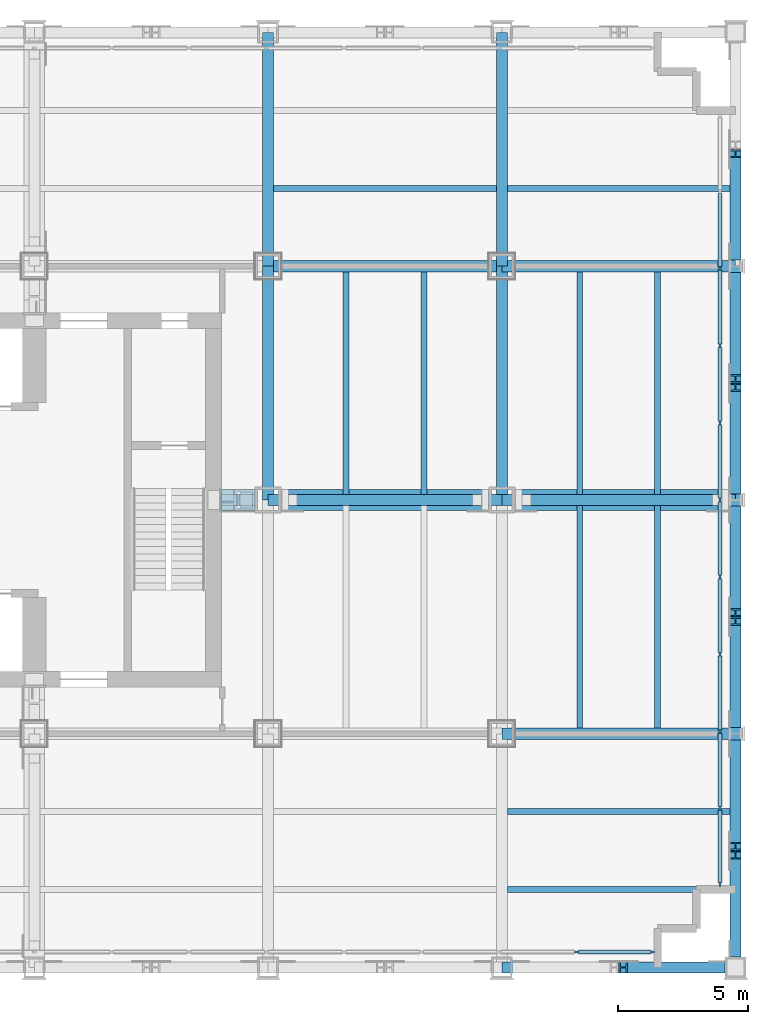
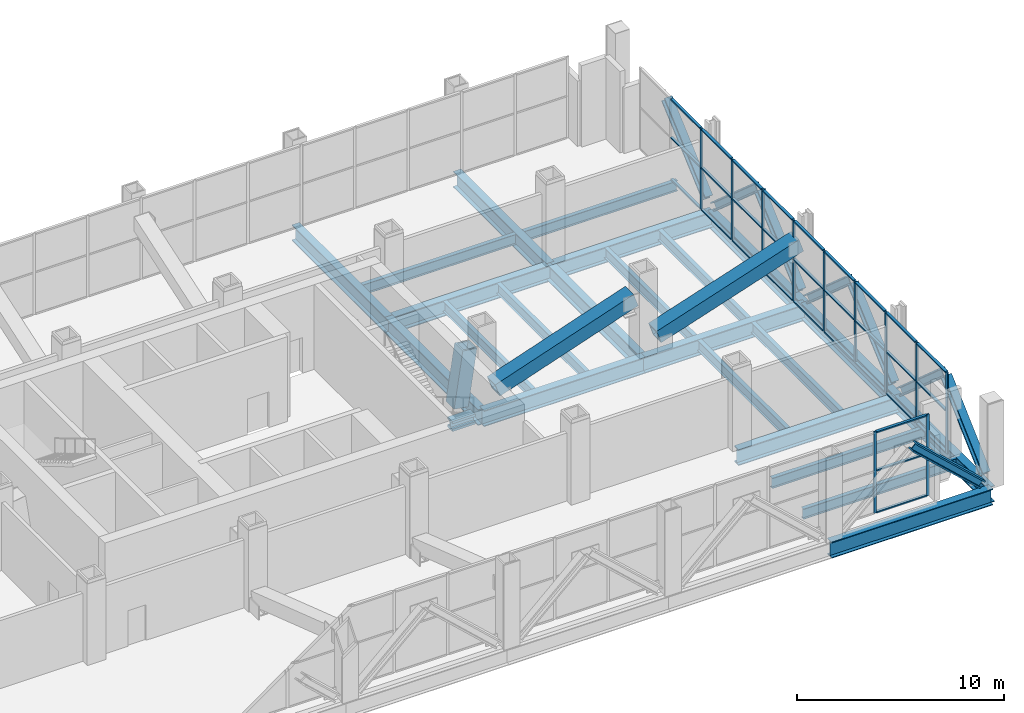
# One storey, part 6 of 19: 53 members, 23 beams, 2 elements without a shape of their own.
"""IFC4 building model written with IfcOpenShell, lengths in metres."""

from ifc_helpers import new_model, si_unit, direction, frame, origin, origin_2d, place, context, subcontext, project, spatial, rectangle, hollow_rectangle, i_section, extrude, material, material_profile, profile_set, type_object, element, aggregate, save


model = new_model("IFC4")

# Units and contexts
model_context = context("Model", 3, precision=1e-05, world=origin(), true_north=direction((0.0, 1.0)))
body_context = subcontext(model_context, "Body", "Model", "MODEL_VIEW")
ifc_project = project(units=[si_unit("LENGTHUNIT", "METRE"), si_unit("AREAUNIT", "SQUARE_METRE"), si_unit("VOLUMEUNIT", "CUBIC_METRE"), si_unit("PLANEANGLEUNIT", "RADIAN"), si_unit("MASSUNIT", "GRAM", prefix="KILO")], contexts=[model_context])

# Site, building, storey
site_placement = place(None, origin())
site = spatial("IfcSite", under=ifc_project, at=site_placement, CompositionType="ELEMENT")
building_placement = place(site_placement, origin())
building = spatial("IfcBuilding", under=site, at=building_placement, Name="Loomwork Tower", CompositionType="ELEMENT")
storey_placement = place(building_placement, frame((0.0, 0.0, 89.199951171875)))
storey = spatial("IfcBuildingStorey", under=building, at=storey_placement, Name="L23", CompositionType="ELEMENT", Elevation=89.199951171875)

# Beams
ifc_material_1 = material(Name="Steel ASTM A992", Category="steel")
ifc_material_profile_1 = material_profile(ifc_material_1, i_section(OverallWidth=0.424072265625, OverallDepth=0.947509765625, WebThickness=0.02392578125, FlangeThickness=0.042724609375, at=origin_2d()), Name="W36x302")
ifc_profile_set_1 = profile_set([ifc_material_profile_1], Name="Steel ASTM A992")
beam_type_1 = type_object("IfcBeamType", Name="BELT CHORD SPANDREL W36x302", PredefinedType="SPANDREL", material=ifc_profile_set_1)
for number, where, z_axis, x_axis, name in (
    (1, (45.0, 0.0, -0.7236328125), (1.0, 0.0, 0.0), (0.0, 1.0, 0.0), "Belt Chord Spandrel D/7-D/8 L23"),
    (2, (54.0, 0.0, -0.7236328125), (0.0, 1.0, 0.0), (-1.0, 0.0, 0.0), "Belt Chord Spandrel D/8-E/8 L23"),
    (3, (54.0, 9.0, -0.7236328125), (0.0, 1.0, 0.0), (-1.0, 0.0, 0.0), "Belt Chord Spandrel E/8-F/8 L23"),
    (4, (54.0, 18.0, -0.7236328125), (0.0, 1.0, 0.0), (-1.0, 0.0, 0.0), "Belt Chord Spandrel F/8-G/8 L23"),
):
    element("IfcBeam", number, at=place(storey_placement, frame(where, z_axis=z_axis, x_axis=x_axis)), inside=storey, type_object=beam_type_1, Name=name, PredefinedType="SPANDREL", context=body_context, shape_type="SweptSolid", body=[
        extrude(i_section(OverallWidth=0.424072265625, OverallDepth=0.947509765625, WebThickness=0.02392578125, FlangeThickness=0.042724609375, at=origin_2d()), origin(), (0.0, 0.0, 1.0), 9.0),
    ])

# Members
ifc_material_2 = material(Name="Steel ASTM A992", Category="steel")
ifc_material_profile_2 = material_profile(ifc_material_2, i_section(OverallWidth=0.424072265625, OverallDepth=0.47509765625, WebThickness=0.0478515625, FlangeThickness=0.0771484375, at=origin_2d()), Name="W14x426")
ifc_profile_set_2 = profile_set([ifc_material_profile_2], Name="Steel ASTM A992")
member_type_1 = type_object("IfcMemberType", Name="BELT TRUSS DIAGONAL W14x426", PredefinedType="BRACE", material=ifc_profile_set_2)
for number, where, z_axis, x_axis, name in (
    (5, (53.4287109375, 0.0, 0.184326171875), (-0.733437826244, 0.0, 0.679756541001), (0.0, -1.0, 0.0), "Belt truss diagonal D/7-D/8 L23"),
    (6, (54.0, 0.5712890625, 0.184326171875), (0.0, 0.733437826244, 0.679756541001), (-1.0, 0.0, 0.0), "Belt truss diagonal D/8-E/8 L23"),
):
    element("IfcMember", number, at=place(storey_placement, frame(where, z_axis=z_axis, x_axis=x_axis)), inside=storey, type_object=member_type_1, Name=name, PredefinedType="BRACE", context=body_context, shape_type="SweptSolid", body=[
        extrude(i_section(OverallWidth=0.424072265625, OverallDepth=0.47509765625, WebThickness=0.0478515625, FlangeThickness=0.0771484375, at=origin_2d()), origin(), (0.0, 0.0, 1.0), 5.12548828125),
    ])
for number, where, z_axis, x_axis, name in (
    (7, (54.0, 8.608154296875, 0.188232421875), (0.0, -0.750111573839, 0.661311293411), (1.0, 0.0, 0.0), "Belt truss diagonal D/8-E/8 L23"),
    (8, (54.0, 9.391845703125, 0.188232421875), (0.0, 0.750111573839, 0.661311293411), (-1.0, 0.0, 0.0), "Belt truss diagonal E/8-F/8 L23"),
    (9, (54.0, 17.608154296875, 0.188232421875), (0.0, -0.750111573839, 0.661311293411), (1.0, 0.0, 0.0), "Belt truss diagonal E/8-F/8 L23"),
    (10, (54.0, 18.391845703125, 0.188232421875), (0.0, 0.750111573839, 0.661311293411), (-1.0, 0.0, 0.0), "Belt truss diagonal F/8-G/8 L23"),
    (11, (54.0, 26.608154296875, 0.188232421875), (0.0, -0.750111573839, 0.661311293411), (1.0, 0.0, 0.0), "Belt truss diagonal F/8-G/8 L23"),
    (12, (54.0, 27.391845703125, 0.188232421875), (0.0, 0.750111573839, 0.661311293411), (-1.0, 0.0, 0.0), "Belt truss diagonal G/8-H/8 L23"),
):
    element("IfcMember", number, at=place(storey_placement, frame(where, z_axis=z_axis, x_axis=x_axis)), inside=storey, type_object=member_type_1, Name=name, PredefinedType="BRACE", context=body_context, shape_type="SweptSolid", body=[
        extrude(i_section(OverallWidth=0.424072265625, OverallDepth=0.47509765625, WebThickness=0.0478515625, FlangeThickness=0.0771484375, at=origin_2d()), origin(), (0.0, 0.0, 1.0), 5.256591796875),
    ])
ifc_material_3 = material(Name="Steel ASTM A572 Grade 50 plate", Category="steel")
ifc_material_profile_3 = material_profile(ifc_material_3, hollow_rectangle(XDim=0.800048828125, YDim=0.800048828125, WallThickness=0.090087890625, at=origin_2d()), Name="BOX800x90")
ifc_profile_set_3 = profile_set([ifc_material_profile_3], Name="Steel ASTM A572 Grade 50 plate")
member_type_2 = type_object("IfcMemberType", Name="OUTRIGGER DIAGONAL BOX800x90", PredefinedType="BRACE", material=ifc_profile_set_3)
member_1_placement = place(storey_placement, frame((53.588134765625, 18.0, 3.4609375), z_axis=(-0.949441504033, 0.0, -0.31394399249), x_axis=(0.0, -1.0, 0.0)))
element("IfcMember", 13, at=member_1_placement, inside=storey, type_object=member_type_2, Name="Outrigger diagonal F/8 L23", PredefinedType="BRACE", context=body_context, shape_type="SweptSolid", body=[
    extrude(hollow_rectangle(XDim=0.800048828125, YDim=0.800048828125, WallThickness=0.090087890625, at=origin_2d()), origin(), (0.0, 0.0, 1.0), 8.373779296875),
])
member_2_placement = place(storey_placement, frame((44.35888671875, 18.0, 3.462158203125), z_axis=(-0.946508525523, 0.0, -0.32267880487), x_axis=(0.0, -1.0, 0.0)))
element("IfcMember", 14, at=member_2_placement, inside=storey, type_object=member_type_2, Name="Outrigger diagonal F/7 L23", PredefinedType="BRACE", context=body_context, shape_type="SweptSolid", body=[
    extrude(hollow_rectangle(XDim=0.800048828125, YDim=0.800048828125, WallThickness=0.090087890625, at=origin_2d()), origin(), (0.0, 0.0, 1.0), 8.154052734375),
])
member_3_placement = place(storey_placement, frame((35.09228515625, 18.0, 3.781982421875), z_axis=(-0.146556688466, 0.0, -0.98920227308), x_axis=(0.0, -1.0, 0.0)))
element("IfcMember", 15, at=member_3_placement, inside=storey, type_object=member_type_2, Name="Outrigger diagonal F/6 L23", PredefinedType="BRACE", context=body_context, shape_type="SweptSolid", body=[
    extrude(hollow_rectangle(XDim=0.800048828125, YDim=0.800048828125, WallThickness=0.090087890625, at=origin_2d()), origin(), (0.0, 0.0, 1.0), 3.306640625),
])

# Beams
ifc_material_4 = material(Name="Steel ASTM A992", Category="steel")
ifc_material_profile_4 = material_profile(ifc_material_4, i_section(OverallWidth=0.4267578125, OverallDepth=0.939697265625, WebThickness=0.028564453125, FlangeThickness=0.050537109375, at=origin_2d()), Name="W36x361")
ifc_profile_set_4 = profile_set([ifc_material_profile_4], Name="Steel ASTM A992")
beam_type_2 = type_object("IfcBeamType", Name="OUTRIGGER FLOOR GIRDER W36x361", PredefinedType="BEAM", material=ifc_profile_set_4)
for number, where, z_axis, x_axis, name in (
    (16, (45.0, 9.0, -0.719970703125), (1.0, 0.0, 0.0), (0.0, 1.0, 0.0), "Outrigger Floor Girder E/7-E/8 L23"),
    (17, (36.0, 27.0, -0.719970703125), (1.0, 0.0, 0.0), (0.0, 1.0, 0.0), "Outrigger Floor Girder G/6-G/7 L23"),
    (18, (45.0, 27.0, -0.719970703125), (1.0, 0.0, 0.0), (0.0, 1.0, 0.0), "Outrigger Floor Girder G/7-G/8 L23"),
    (19, (36.0, 18.0, -0.719970703125), (0.0, 1.0, 0.0), (-1.0, 0.0, 0.0), "Outrigger Floor Girder F/6-G/6 L23"),
    (20, (36.0, 27.0, -0.719970703125), (0.0, 1.0, 0.0), (-1.0, 0.0, 0.0), "Outrigger Floor Girder G/6-H/6 L23"),
    (21, (45.0, 18.0, -0.719970703125), (0.0, 1.0, 0.0), (-1.0, 0.0, 0.0), "Outrigger Floor Girder F/7-G/7 L23"),
    (22, (45.0, 27.0, -0.719970703125), (0.0, 1.0, 0.0), (-1.0, 0.0, 0.0), "Outrigger Floor Girder G/7-H/7 L23"),
):
    element("IfcBeam", number, at=place(storey_placement, frame(where, z_axis=z_axis, x_axis=x_axis)), inside=storey, type_object=beam_type_2, Name=name, PredefinedType="BEAM", context=body_context, shape_type="SweptSolid", body=[
        extrude(i_section(OverallWidth=0.4267578125, OverallDepth=0.939697265625, WebThickness=0.028564453125, FlangeThickness=0.050537109375, at=origin_2d()), origin(), (0.0, 0.0, 1.0), 9.0),
    ])
ifc_material_5 = material(Name="Steel ASTM A992", Category="steel")
ifc_material_profile_5 = material_profile(ifc_material_5, i_section(OverallWidth=0.424072265625, OverallDepth=0.947509765625, WebThickness=0.02392578125, FlangeThickness=0.042724609375, at=origin_2d()), Name="W36x302")
ifc_profile_set_5 = profile_set([ifc_material_profile_5], Name="Steel ASTM A992")
beam_type_3 = type_object("IfcBeamType", Name="OUTRIGGER GIRDER W36x302", PredefinedType="BEAM", material=ifc_profile_set_5)
for number, where, z_axis, x_axis, name in (
    (23, (36.0, 18.0, -0.7236328125), (1.0, 0.0, 0.0), (0.0, 1.0, 0.0), "Outrigger Girder F/6-F/7 L23"),
    (24, (45.0, 18.0, -0.7236328125), (1.0, 0.0, 0.0), (0.0, 1.0, 0.0), "Outrigger Girder F/7-F/8 L23"),
):
    element("IfcBeam", number, at=place(storey_placement, frame(where, z_axis=z_axis, x_axis=x_axis)), inside=storey, type_object=beam_type_3, Name=name, PredefinedType="BEAM", context=body_context, shape_type="SweptSolid", body=[
        extrude(i_section(OverallWidth=0.424072265625, OverallDepth=0.947509765625, WebThickness=0.02392578125, FlangeThickness=0.042724609375, at=origin_2d()), origin(), (0.0, 0.0, 1.0), 9.0),
    ])

# Member
ifc_material_6 = material(Name="Steel ASTM A992", Category="steel")
ifc_material_profile_6 = material_profile(ifc_material_6, i_section(OverallWidth=0.4775390625, OverallDepth=0.599365234375, WebThickness=0.10009765625, FlangeThickness=0.139892578125, at=origin_2d()), Name="W14x873")
ifc_profile_set_6 = profile_set([ifc_material_profile_6], Name="Steel ASTM A992")
member_type_3 = type_object("IfcMemberType", Name="OUTRIGGER STRUT W14x873", PredefinedType="STRUT", material=ifc_profile_set_6)
member_4_placement = place(storey_placement, frame((35.489990234375, 18.0, -0.549560546875), z_axis=(-1.0, 0.0, 0.0), x_axis=(0.0, -1.0, 0.0)))
element("IfcMember", 25, at=member_4_placement, inside=storey, type_object=member_type_3, Name="Outrigger strut F/6-33.900,18.000 L23", PredefinedType="STRUT", context=body_context, shape_type="SweptSolid", body=[
    extrude(i_section(OverallWidth=0.4775390625, OverallDepth=0.599365234375, WebThickness=0.10009765625, FlangeThickness=0.139892578125, at=origin_2d()), origin(), (0.0, 0.0, 1.0), 1.27490234375),
])

# Beams
ifc_material_7 = material(Name="Steel ASTM A992", Category="steel")
ifc_material_profile_7 = material_profile(ifc_material_7, i_section(OverallWidth=0.228271484375, OverallDepth=0.607177734375, WebThickness=0.01123046875, FlangeThickness=0.017333984375, at=origin_2d()), Name="W24x76")
ifc_profile_set_7 = profile_set([ifc_material_profile_7], Name="Steel ASTM A992")
beam_type_4 = type_object("IfcBeamType", Name="PLANT FLOOR JOIST W24x76", PredefinedType="JOIST", material=ifc_profile_set_7)
for number, where, z_axis, x_axis, name in (
    (26, (39.0, 18.2119140625, -0.553466796875), (0.0, 1.0, 0.0), (-1.0, 0.0, 0.0), "Plant Floor Joist 39.000,18.000-39.000,27.000 L23"),
    (27, (42.0, 18.2119140625, -0.553466796875), (0.0, 1.0, 0.0), (-1.0, 0.0, 0.0), "Plant Floor Joist 42.000,18.000-42.000,27.000 L23"),
):
    element("IfcBeam", number, at=place(storey_placement, frame(where, z_axis=z_axis, x_axis=x_axis)), inside=storey, type_object=beam_type_4, Name=name, PredefinedType="JOIST", context=body_context, shape_type="SweptSolid", body=[
        extrude(i_section(OverallWidth=0.228271484375, OverallDepth=0.607177734375, WebThickness=0.01123046875, FlangeThickness=0.017333984375, at=origin_2d()), origin(), (0.0, 0.0, 1.0), 8.5751953125),
    ])
beam_placement = place(storey_placement, frame((36.212890625, 30.0, -0.553466796875), z_axis=(1.0, 0.0, 0.0), x_axis=(0.0, 1.0, 0.0)))
element("IfcBeam", 28, at=beam_placement, inside=storey, type_object=beam_type_4, Name="Plant Floor Joist 36.000,30.000-45.000,30.000 L23", PredefinedType="JOIST", context=body_context, shape_type="SweptSolid", body=[
    extrude(i_section(OverallWidth=0.228271484375, OverallDepth=0.607177734375, WebThickness=0.01123046875, FlangeThickness=0.017333984375, at=origin_2d()), origin(), (0.0, 0.0, 1.0), 8.57421875),
])
for number, where, z_axis, x_axis, name in (
    (29, (45.212890625, 3.0, -0.553466796875), (1.0, 0.0, 0.0), (0.0, 1.0, 0.0), "Plant Floor Joist 45.000,3.000-54.000,3.000 L23"),
    (30, (45.212890625, 6.0, -0.553466796875), (1.0, 0.0, 0.0), (0.0, 1.0, 0.0), "Plant Floor Joist 45.000,6.000-54.000,6.000 L23"),
    (31, (48.0, 9.212890625, -0.553466796875), (0.0, 1.0, 0.0), (-1.0, 0.0, 0.0), "Plant Floor Joist 48.000,9.000-48.000,18.000 L23"),
    (32, (51.0, 9.212890625, -0.553466796875), (0.0, 1.0, 0.0), (-1.0, 0.0, 0.0), "Plant Floor Joist 51.000,9.000-51.000,18.000 L23"),
    (33, (48.0, 18.2119140625, -0.553466796875), (0.0, 1.0, 0.0), (-1.0, 0.0, 0.0), "Plant Floor Joist 48.000,18.000-48.000,27.000 L23"),
    (34, (51.0, 18.2119140625, -0.553466796875), (0.0, 1.0, 0.0), (-1.0, 0.0, 0.0), "Plant Floor Joist 51.000,18.000-51.000,27.000 L23"),
    (35, (45.212890625, 30.0, -0.553466796875), (1.0, 0.0, 0.0), (0.0, 1.0, 0.0), "Plant Floor Joist 45.000,30.000-54.000,30.000 L23"),
):
    element("IfcBeam", number, at=place(storey_placement, frame(where, z_axis=z_axis, x_axis=x_axis)), inside=storey, type_object=beam_type_4, Name=name, PredefinedType="JOIST", context=body_context, shape_type="SweptSolid", body=[
        extrude(i_section(OverallWidth=0.228271484375, OverallDepth=0.607177734375, WebThickness=0.01123046875, FlangeThickness=0.017333984375, at=origin_2d()), origin(), (0.0, 0.0, 1.0), 8.5751953125),
    ])

# Curtain wall, members
ifc_material_8 = material(Name="Aluminium louvre frame", Category="aluminium")
curtain_wall_type = type_object("IfcCurtainWallType", Name="Plant floor louvre screen", PredefinedType="NOTDEFINED", material=ifc_material_8)
curtain_wall_1_placement = place(storey_placement, origin())
curtain_wall_1 = element("IfcCurtainWall", 36, at=curtain_wall_1_placement, inside=storey, type_object=curtain_wall_type, Name="Plant floor louvre screen cw/S", PredefinedType="NOTDEFINED")
ifc_material_9 = material(Name="Aluminium louvre frame", Category="aluminium")
ifc_material_profile_8 = material_profile(ifc_material_9, rectangle(XDim=0.080078125, YDim=0.14990234375, at=origin_2d()), Name="AL 80x150")
ifc_profile_set_8 = profile_set([ifc_material_profile_8], Name="Aluminium louvre frame")
member_type_4 = type_object("IfcMemberType", Name="Plant floor louvre screen mullion", PredefinedType="MULLION", material=ifc_profile_set_8)
member_5_placement = place(storey_placement, frame((47.86865234375, 0.60009765625, 0.0), z_axis=(0.0, 0.0, 1.0), x_axis=(0.0, 1.0, 0.0)))
member_5 = element("IfcMember", 37, at=member_5_placement, type_object=member_type_4, Name="CW4 mullion 16", PredefinedType="MULLION", context=body_context, shape_type="SweptSolid", body=[
    extrude(rectangle(XDim=0.080078125, YDim=0.14990234375, at=origin_2d()), origin(), (0.0, 0.0, 1.0), 4.800048828125),
])
member_6_placement = place(storey_placement, frame((50.81005859375, 0.60009765625, 0.0), z_axis=(0.0, 0.0, 1.0), x_axis=(0.0, 1.0, 0.0)))
member_6 = element("IfcMember", 38, at=member_6_placement, type_object=member_type_4, Name="CW4 mullion 17", PredefinedType="MULLION", context=body_context, shape_type="SweptSolid", body=[
    extrude(rectangle(XDim=0.080078125, YDim=0.14990234375, at=origin_2d()), origin(), (0.0, 0.0, 1.0), 4.800048828125),
])

curtain_wall_2_placement = place(storey_placement, origin())
curtain_wall_2 = element("IfcCurtainWall", 39, at=curtain_wall_2_placement, inside=storey, type_object=curtain_wall_type, Name="Plant floor louvre screen cw/E", PredefinedType="NOTDEFINED")
member_7_placement = place(storey_placement, frame((53.39990234375, 3.18994140625, 0.0), z_axis=(0.0, 0.0, 1.0), x_axis=(-1.0, 0.0, 0.0)))
member_7 = element("IfcMember", 40, at=member_7_placement, type_object=member_type_4, Name="CW4 mullion 1", PredefinedType="MULLION", context=body_context, shape_type="SweptSolid", body=[
    extrude(rectangle(XDim=0.080078125, YDim=0.14990234375, at=origin_2d()), origin(), (0.0, 0.0, 1.0), 4.800048828125),
])
member_8_placement = place(storey_placement, frame((53.39990234375, 6.1201171875, 0.0), z_axis=(0.0, 0.0, 1.0), x_axis=(-1.0, 0.0, 0.0)))
member_8 = element("IfcMember", 41, at=member_8_placement, type_object=member_type_4, Name="CW4 mullion 2", PredefinedType="MULLION", context=body_context, shape_type="SweptSolid", body=[
    extrude(rectangle(XDim=0.080078125, YDim=0.14990234375, at=origin_2d()), origin(), (0.0, 0.0, 1.0), 4.800048828125),
])
member_9_placement = place(storey_placement, frame((53.39990234375, 9.090087890625, 0.0), z_axis=(0.0, 0.0, 1.0), x_axis=(-1.0, 0.0, 0.0)))
member_9 = element("IfcMember", 42, at=member_9_placement, type_object=member_type_4, Name="CW4 mullion 3", PredefinedType="MULLION", context=body_context, shape_type="SweptSolid", body=[
    extrude(rectangle(XDim=0.080078125, YDim=0.14990234375, at=origin_2d()), origin(), (0.0, 0.0, 1.0), 4.800048828125),
])
member_10_placement = place(storey_placement, frame((53.39990234375, 12.06005859375, 0.0), z_axis=(0.0, 0.0, 1.0), x_axis=(-1.0, 0.0, 0.0)))
member_10 = element("IfcMember", 43, at=member_10_placement, type_object=member_type_4, Name="CW4 mullion 4", PredefinedType="MULLION", context=body_context, shape_type="SweptSolid", body=[
    extrude(rectangle(XDim=0.080078125, YDim=0.14990234375, at=origin_2d()), origin(), (0.0, 0.0, 1.0), 4.800048828125),
])
member_11_placement = place(storey_placement, frame((53.39990234375, 15.030029296875, 0.0), z_axis=(0.0, 0.0, 1.0), x_axis=(-1.0, 0.0, 0.0)))
member_11 = element("IfcMember", 44, at=member_11_placement, type_object=member_type_4, Name="CW4 mullion 5", PredefinedType="MULLION", context=body_context, shape_type="SweptSolid", body=[
    extrude(rectangle(XDim=0.080078125, YDim=0.14990234375, at=origin_2d()), origin(), (0.0, 0.0, 1.0), 4.800048828125),
])
member_12_placement = place(storey_placement, frame((53.39990234375, 18.0, 0.0), z_axis=(0.0, 0.0, 1.0), x_axis=(-1.0, 0.0, 0.0)))
member_12 = element("IfcMember", 45, at=member_12_placement, type_object=member_type_4, Name="CW4 mullion 6", PredefinedType="MULLION", context=body_context, shape_type="SweptSolid", body=[
    extrude(rectangle(XDim=0.080078125, YDim=0.14990234375, at=origin_2d()), origin(), (0.0, 0.0, 1.0), 4.800048828125),
])
member_13_placement = place(storey_placement, frame((53.39990234375, 20.969970703125, 0.0), z_axis=(0.0, 0.0, 1.0), x_axis=(-1.0, 0.0, 0.0)))
member_13 = element("IfcMember", 46, at=member_13_placement, type_object=member_type_4, Name="CW4 mullion 7", PredefinedType="MULLION", context=body_context, shape_type="SweptSolid", body=[
    extrude(rectangle(XDim=0.080078125, YDim=0.14990234375, at=origin_2d()), origin(), (0.0, 0.0, 1.0), 4.800048828125),
])
member_14_placement = place(storey_placement, frame((53.39990234375, 23.93994140625, 0.0), z_axis=(0.0, 0.0, 1.0), x_axis=(-1.0, 0.0, 0.0)))
member_14 = element("IfcMember", 47, at=member_14_placement, type_object=member_type_4, Name="CW4 mullion 8", PredefinedType="MULLION", context=body_context, shape_type="SweptSolid", body=[
    extrude(rectangle(XDim=0.080078125, YDim=0.14990234375, at=origin_2d()), origin(), (0.0, 0.0, 1.0), 4.800048828125),
])
member_15_placement = place(storey_placement, frame((53.39990234375, 26.909912109375, 0.0), z_axis=(0.0, 0.0, 1.0), x_axis=(-1.0, 0.0, 0.0)))
member_15 = element("IfcMember", 48, at=member_15_placement, type_object=member_type_4, Name="CW4 mullion 9", PredefinedType="MULLION", context=body_context, shape_type="SweptSolid", body=[
    extrude(rectangle(XDim=0.080078125, YDim=0.14990234375, at=origin_2d()), origin(), (0.0, 0.0, 1.0), 4.800048828125),
])

# Member
ifc_material_10 = material(Name="Aluminium louvre frame", Category="aluminium")
ifc_material_profile_9 = material_profile(ifc_material_10, rectangle(XDim=0.14990234375, YDim=0.080078125, at=origin_2d()), Name="AL 80x150")
ifc_profile_set_9 = profile_set([ifc_material_profile_9], Name="Aluminium louvre frame")
member_type_5 = type_object("IfcMemberType", Name="Plant floor louvre screen transom", PredefinedType="USERDEFINED", material=ifc_profile_set_9)
member_16_placement = place(storey_placement, frame((47.94384765625, 0.60009765625, 0.0400390625), z_axis=(1.0, 0.0, 0.0), x_axis=(0.0, 1.0, 0.0)))
member_16 = element("IfcMember", 49, at=member_16_placement, type_object=member_type_5, Name="CW4 transom 16.1", ObjectType="TRANSOM", PredefinedType="USERDEFINED", context=body_context, shape_type="SweptSolid", body=[
    extrude(rectangle(XDim=0.14990234375, YDim=0.080078125, at=origin_2d()), origin(), (0.0, 0.0, 1.0), 2.791259765625),
])

member_17_placement = place(storey_placement, frame((47.94384765625, 0.60009765625, 2.5), z_axis=(1.0, 0.0, 0.0), x_axis=(0.0, 1.0, 0.0)))
member_17 = element("IfcMember", 50, at=member_17_placement, type_object=member_type_5, Name="CW4 transom 16.2", ObjectType="TRANSOM", PredefinedType="USERDEFINED", context=body_context, shape_type="SweptSolid", body=[
    extrude(rectangle(XDim=0.14990234375, YDim=0.080078125, at=origin_2d()), origin(), (0.0, 0.0, 1.0), 2.791259765625),
])

member_18_placement = place(storey_placement, frame((47.94384765625, 0.60009765625, 4.760009765625), z_axis=(1.0, 0.0, 0.0), x_axis=(0.0, 1.0, 0.0)))
member_18 = element("IfcMember", 51, at=member_18_placement, type_object=member_type_5, Name="CW4 transom 16.3", ObjectType="TRANSOM", PredefinedType="USERDEFINED", context=body_context, shape_type="SweptSolid", body=[
    extrude(rectangle(XDim=0.14990234375, YDim=0.080078125, at=origin_2d()), origin(), (0.0, 0.0, 1.0), 2.791259765625),
])

aggregate(curtain_wall_1, [member_5, member_6, member_16, member_17, member_18])

member_19_placement = place(storey_placement, frame((53.39990234375, 3.264892578125, 0.0400390625), z_axis=(0.0, 1.0, 0.0), x_axis=(-1.0, 0.0, 0.0)))
member_19 = element("IfcMember", 52, at=member_19_placement, type_object=member_type_5, Name="CW4 transom 1.1", ObjectType="TRANSOM", PredefinedType="USERDEFINED", context=body_context, shape_type="SweptSolid", body=[
    extrude(rectangle(XDim=0.14990234375, YDim=0.080078125, at=origin_2d()), origin(), (0.0, 0.0, 1.0), 2.780029296875),
])

member_20_placement = place(storey_placement, frame((53.39990234375, 3.264892578125, 2.5), z_axis=(0.0, 1.0, 0.0), x_axis=(-1.0, 0.0, 0.0)))
member_20 = element("IfcMember", 53, at=member_20_placement, type_object=member_type_5, Name="CW4 transom 1.2", ObjectType="TRANSOM", PredefinedType="USERDEFINED", context=body_context, shape_type="SweptSolid", body=[
    extrude(rectangle(XDim=0.14990234375, YDim=0.080078125, at=origin_2d()), origin(), (0.0, 0.0, 1.0), 2.780029296875),
])

member_21_placement = place(storey_placement, frame((53.39990234375, 3.264892578125, 4.760009765625), z_axis=(0.0, 1.0, 0.0), x_axis=(-1.0, 0.0, 0.0)))
member_21 = element("IfcMember", 54, at=member_21_placement, type_object=member_type_5, Name="CW4 transom 1.3", ObjectType="TRANSOM", PredefinedType="USERDEFINED", context=body_context, shape_type="SweptSolid", body=[
    extrude(rectangle(XDim=0.14990234375, YDim=0.080078125, at=origin_2d()), origin(), (0.0, 0.0, 1.0), 2.780029296875),
])

member_22_placement = place(storey_placement, frame((53.39990234375, 6.195068359375, 0.0400390625), z_axis=(0.0, 1.0, 0.0), x_axis=(-1.0, 0.0, 0.0)))
member_22 = element("IfcMember", 55, at=member_22_placement, type_object=member_type_5, Name="CW4 transom 2.1", ObjectType="TRANSOM", PredefinedType="USERDEFINED", context=body_context, shape_type="SweptSolid", body=[
    extrude(rectangle(XDim=0.14990234375, YDim=0.080078125, at=origin_2d()), origin(), (0.0, 0.0, 1.0), 2.81982421875),
])

member_23_placement = place(storey_placement, frame((53.39990234375, 6.195068359375, 2.5), z_axis=(0.0, 1.0, 0.0), x_axis=(-1.0, 0.0, 0.0)))
member_23 = element("IfcMember", 56, at=member_23_placement, type_object=member_type_5, Name="CW4 transom 2.2", ObjectType="TRANSOM", PredefinedType="USERDEFINED", context=body_context, shape_type="SweptSolid", body=[
    extrude(rectangle(XDim=0.14990234375, YDim=0.080078125, at=origin_2d()), origin(), (0.0, 0.0, 1.0), 2.81982421875),
])

member_24_placement = place(storey_placement, frame((53.39990234375, 6.195068359375, 4.760009765625), z_axis=(0.0, 1.0, 0.0), x_axis=(-1.0, 0.0, 0.0)))
member_24 = element("IfcMember", 57, at=member_24_placement, type_object=member_type_5, Name="CW4 transom 2.3", ObjectType="TRANSOM", PredefinedType="USERDEFINED", context=body_context, shape_type="SweptSolid", body=[
    extrude(rectangle(XDim=0.14990234375, YDim=0.080078125, at=origin_2d()), origin(), (0.0, 0.0, 1.0), 2.81982421875),
])

member_25_placement = place(storey_placement, frame((53.39990234375, 9.1650390625, 0.0400390625), z_axis=(0.0, 1.0, 0.0), x_axis=(-1.0, 0.0, 0.0)))
member_25 = element("IfcMember", 58, at=member_25_placement, type_object=member_type_5, Name="CW4 transom 3.1", ObjectType="TRANSOM", PredefinedType="USERDEFINED", context=body_context, shape_type="SweptSolid", body=[
    extrude(rectangle(XDim=0.14990234375, YDim=0.080078125, at=origin_2d()), origin(), (0.0, 0.0, 1.0), 2.820068359375),
])

member_26_placement = place(storey_placement, frame((53.39990234375, 9.1650390625, 2.5), z_axis=(0.0, 1.0, 0.0), x_axis=(-1.0, 0.0, 0.0)))
member_26 = element("IfcMember", 59, at=member_26_placement, type_object=member_type_5, Name="CW4 transom 3.2", ObjectType="TRANSOM", PredefinedType="USERDEFINED", context=body_context, shape_type="SweptSolid", body=[
    extrude(rectangle(XDim=0.14990234375, YDim=0.080078125, at=origin_2d()), origin(), (0.0, 0.0, 1.0), 2.820068359375),
])

member_27_placement = place(storey_placement, frame((53.39990234375, 9.1650390625, 4.760009765625), z_axis=(0.0, 1.0, 0.0), x_axis=(-1.0, 0.0, 0.0)))
member_27 = element("IfcMember", 60, at=member_27_placement, type_object=member_type_5, Name="CW4 transom 3.3", ObjectType="TRANSOM", PredefinedType="USERDEFINED", context=body_context, shape_type="SweptSolid", body=[
    extrude(rectangle(XDim=0.14990234375, YDim=0.080078125, at=origin_2d()), origin(), (0.0, 0.0, 1.0), 2.820068359375),
])

member_28_placement = place(storey_placement, frame((53.39990234375, 12.135009765625, 0.0400390625), z_axis=(0.0, 1.0, 0.0), x_axis=(-1.0, 0.0, 0.0)))
member_28 = element("IfcMember", 61, at=member_28_placement, type_object=member_type_5, Name="CW4 transom 4.1", ObjectType="TRANSOM", PredefinedType="USERDEFINED", context=body_context, shape_type="SweptSolid", body=[
    extrude(rectangle(XDim=0.14990234375, YDim=0.080078125, at=origin_2d()), origin(), (0.0, 0.0, 1.0), 2.820068359375),
])

member_29_placement = place(storey_placement, frame((53.39990234375, 12.135009765625, 2.5), z_axis=(0.0, 1.0, 0.0), x_axis=(-1.0, 0.0, 0.0)))
member_29 = element("IfcMember", 62, at=member_29_placement, type_object=member_type_5, Name="CW4 transom 4.2", ObjectType="TRANSOM", PredefinedType="USERDEFINED", context=body_context, shape_type="SweptSolid", body=[
    extrude(rectangle(XDim=0.14990234375, YDim=0.080078125, at=origin_2d()), origin(), (0.0, 0.0, 1.0), 2.820068359375),
])

member_30_placement = place(storey_placement, frame((53.39990234375, 12.135009765625, 4.760009765625), z_axis=(0.0, 1.0, 0.0), x_axis=(-1.0, 0.0, 0.0)))
member_30 = element("IfcMember", 63, at=member_30_placement, type_object=member_type_5, Name="CW4 transom 4.3", ObjectType="TRANSOM", PredefinedType="USERDEFINED", context=body_context, shape_type="SweptSolid", body=[
    extrude(rectangle(XDim=0.14990234375, YDim=0.080078125, at=origin_2d()), origin(), (0.0, 0.0, 1.0), 2.820068359375),
])

member_31_placement = place(storey_placement, frame((53.39990234375, 15.10498046875, 0.0400390625), z_axis=(0.0, 1.0, 0.0), x_axis=(-1.0, 0.0, 0.0)))
member_31 = element("IfcMember", 64, at=member_31_placement, type_object=member_type_5, Name="CW4 transom 5.1", ObjectType="TRANSOM", PredefinedType="USERDEFINED", context=body_context, shape_type="SweptSolid", body=[
    extrude(rectangle(XDim=0.14990234375, YDim=0.080078125, at=origin_2d()), origin(), (0.0, 0.0, 1.0), 2.820068359375),
])

member_32_placement = place(storey_placement, frame((53.39990234375, 15.10498046875, 2.5), z_axis=(0.0, 1.0, 0.0), x_axis=(-1.0, 0.0, 0.0)))
member_32 = element("IfcMember", 65, at=member_32_placement, type_object=member_type_5, Name="CW4 transom 5.2", ObjectType="TRANSOM", PredefinedType="USERDEFINED", context=body_context, shape_type="SweptSolid", body=[
    extrude(rectangle(XDim=0.14990234375, YDim=0.080078125, at=origin_2d()), origin(), (0.0, 0.0, 1.0), 2.820068359375),
])

member_33_placement = place(storey_placement, frame((53.39990234375, 15.10498046875, 4.760009765625), z_axis=(0.0, 1.0, 0.0), x_axis=(-1.0, 0.0, 0.0)))
member_33 = element("IfcMember", 66, at=member_33_placement, type_object=member_type_5, Name="CW4 transom 5.3", ObjectType="TRANSOM", PredefinedType="USERDEFINED", context=body_context, shape_type="SweptSolid", body=[
    extrude(rectangle(XDim=0.14990234375, YDim=0.080078125, at=origin_2d()), origin(), (0.0, 0.0, 1.0), 2.820068359375),
])

member_34_placement = place(storey_placement, frame((53.39990234375, 18.074951171875, 0.0400390625), z_axis=(0.0, 1.0, 0.0), x_axis=(-1.0, 0.0, 0.0)))
member_34 = element("IfcMember", 67, at=member_34_placement, type_object=member_type_5, Name="CW4 transom 6.1", ObjectType="TRANSOM", PredefinedType="USERDEFINED", context=body_context, shape_type="SweptSolid", body=[
    extrude(rectangle(XDim=0.14990234375, YDim=0.080078125, at=origin_2d()), origin(), (0.0, 0.0, 1.0), 2.820068359375),
])

member_35_placement = place(storey_placement, frame((53.39990234375, 18.074951171875, 2.5), z_axis=(0.0, 1.0, 0.0), x_axis=(-1.0, 0.0, 0.0)))
member_35 = element("IfcMember", 68, at=member_35_placement, type_object=member_type_5, Name="CW4 transom 6.2", ObjectType="TRANSOM", PredefinedType="USERDEFINED", context=body_context, shape_type="SweptSolid", body=[
    extrude(rectangle(XDim=0.14990234375, YDim=0.080078125, at=origin_2d()), origin(), (0.0, 0.0, 1.0), 2.820068359375),
])

member_36_placement = place(storey_placement, frame((53.39990234375, 18.074951171875, 4.760009765625), z_axis=(0.0, 1.0, 0.0), x_axis=(-1.0, 0.0, 0.0)))
member_36 = element("IfcMember", 69, at=member_36_placement, type_object=member_type_5, Name="CW4 transom 6.3", ObjectType="TRANSOM", PredefinedType="USERDEFINED", context=body_context, shape_type="SweptSolid", body=[
    extrude(rectangle(XDim=0.14990234375, YDim=0.080078125, at=origin_2d()), origin(), (0.0, 0.0, 1.0), 2.820068359375),
])

member_37_placement = place(storey_placement, frame((53.39990234375, 21.044921875, 0.0400390625), z_axis=(0.0, 1.0, 0.0), x_axis=(-1.0, 0.0, 0.0)))
member_37 = element("IfcMember", 70, at=member_37_placement, type_object=member_type_5, Name="CW4 transom 7.1", ObjectType="TRANSOM", PredefinedType="USERDEFINED", context=body_context, shape_type="SweptSolid", body=[
    extrude(rectangle(XDim=0.14990234375, YDim=0.080078125, at=origin_2d()), origin(), (0.0, 0.0, 1.0), 2.820068359375),
])

member_38_placement = place(storey_placement, frame((53.39990234375, 21.044921875, 2.5), z_axis=(0.0, 1.0, 0.0), x_axis=(-1.0, 0.0, 0.0)))
member_38 = element("IfcMember", 71, at=member_38_placement, type_object=member_type_5, Name="CW4 transom 7.2", ObjectType="TRANSOM", PredefinedType="USERDEFINED", context=body_context, shape_type="SweptSolid", body=[
    extrude(rectangle(XDim=0.14990234375, YDim=0.080078125, at=origin_2d()), origin(), (0.0, 0.0, 1.0), 2.820068359375),
])

member_39_placement = place(storey_placement, frame((53.39990234375, 21.044921875, 4.760009765625), z_axis=(0.0, 1.0, 0.0), x_axis=(-1.0, 0.0, 0.0)))
member_39 = element("IfcMember", 72, at=member_39_placement, type_object=member_type_5, Name="CW4 transom 7.3", ObjectType="TRANSOM", PredefinedType="USERDEFINED", context=body_context, shape_type="SweptSolid", body=[
    extrude(rectangle(XDim=0.14990234375, YDim=0.080078125, at=origin_2d()), origin(), (0.0, 0.0, 1.0), 2.820068359375),
])

member_40_placement = place(storey_placement, frame((53.39990234375, 24.014892578125, 0.0400390625), z_axis=(0.0, 1.0, 0.0), x_axis=(-1.0, 0.0, 0.0)))
member_40 = element("IfcMember", 73, at=member_40_placement, type_object=member_type_5, Name="CW4 transom 8.1", ObjectType="TRANSOM", PredefinedType="USERDEFINED", context=body_context, shape_type="SweptSolid", body=[
    extrude(rectangle(XDim=0.14990234375, YDim=0.080078125, at=origin_2d()), origin(), (0.0, 0.0, 1.0), 2.820068359375),
])

member_41_placement = place(storey_placement, frame((53.39990234375, 24.014892578125, 2.5), z_axis=(0.0, 1.0, 0.0), x_axis=(-1.0, 0.0, 0.0)))
member_41 = element("IfcMember", 74, at=member_41_placement, type_object=member_type_5, Name="CW4 transom 8.2", ObjectType="TRANSOM", PredefinedType="USERDEFINED", context=body_context, shape_type="SweptSolid", body=[
    extrude(rectangle(XDim=0.14990234375, YDim=0.080078125, at=origin_2d()), origin(), (0.0, 0.0, 1.0), 2.820068359375),
])

member_42_placement = place(storey_placement, frame((53.39990234375, 24.014892578125, 4.760009765625), z_axis=(0.0, 1.0, 0.0), x_axis=(-1.0, 0.0, 0.0)))
member_42 = element("IfcMember", 75, at=member_42_placement, type_object=member_type_5, Name="CW4 transom 8.3", ObjectType="TRANSOM", PredefinedType="USERDEFINED", context=body_context, shape_type="SweptSolid", body=[
    extrude(rectangle(XDim=0.14990234375, YDim=0.080078125, at=origin_2d()), origin(), (0.0, 0.0, 1.0), 2.820068359375),
])

member_43_placement = place(storey_placement, frame((53.39990234375, 26.985107421875, 0.0400390625), z_axis=(0.0, 1.0, 0.0), x_axis=(-1.0, 0.0, 0.0)))
member_43 = element("IfcMember", 76, at=member_43_placement, type_object=member_type_5, Name="CW4 transom 9.1", ObjectType="TRANSOM", PredefinedType="USERDEFINED", context=body_context, shape_type="SweptSolid", body=[
    extrude(rectangle(XDim=0.14990234375, YDim=0.080078125, at=origin_2d()), origin(), (0.0, 0.0, 1.0), 2.81982421875),
])

member_44_placement = place(storey_placement, frame((53.39990234375, 26.985107421875, 2.5), z_axis=(0.0, 1.0, 0.0), x_axis=(-1.0, 0.0, 0.0)))
member_44 = element("IfcMember", 77, at=member_44_placement, type_object=member_type_5, Name="CW4 transom 9.2", ObjectType="TRANSOM", PredefinedType="USERDEFINED", context=body_context, shape_type="SweptSolid", body=[
    extrude(rectangle(XDim=0.14990234375, YDim=0.080078125, at=origin_2d()), origin(), (0.0, 0.0, 1.0), 2.81982421875),
])

member_45_placement = place(storey_placement, frame((53.39990234375, 26.985107421875, 4.760009765625), z_axis=(0.0, 1.0, 0.0), x_axis=(-1.0, 0.0, 0.0)))
member_45 = element("IfcMember", 78, at=member_45_placement, type_object=member_type_5, Name="CW4 transom 9.3", ObjectType="TRANSOM", PredefinedType="USERDEFINED", context=body_context, shape_type="SweptSolid", body=[
    extrude(rectangle(XDim=0.14990234375, YDim=0.080078125, at=origin_2d()), origin(), (0.0, 0.0, 1.0), 2.81982421875),
])

aggregate(curtain_wall_2, [member_7, member_8, member_9, member_10, member_11, member_12, member_13, member_14, member_15, member_19, member_20, member_21, member_22, member_23, member_24, member_25, member_26, member_27, member_28, member_29, member_30, member_31, member_32, member_33, member_34, member_35, member_36, member_37, member_38, member_39, member_40, member_41, member_42, member_43, member_44, member_45])

save(model, "model.ifc")
